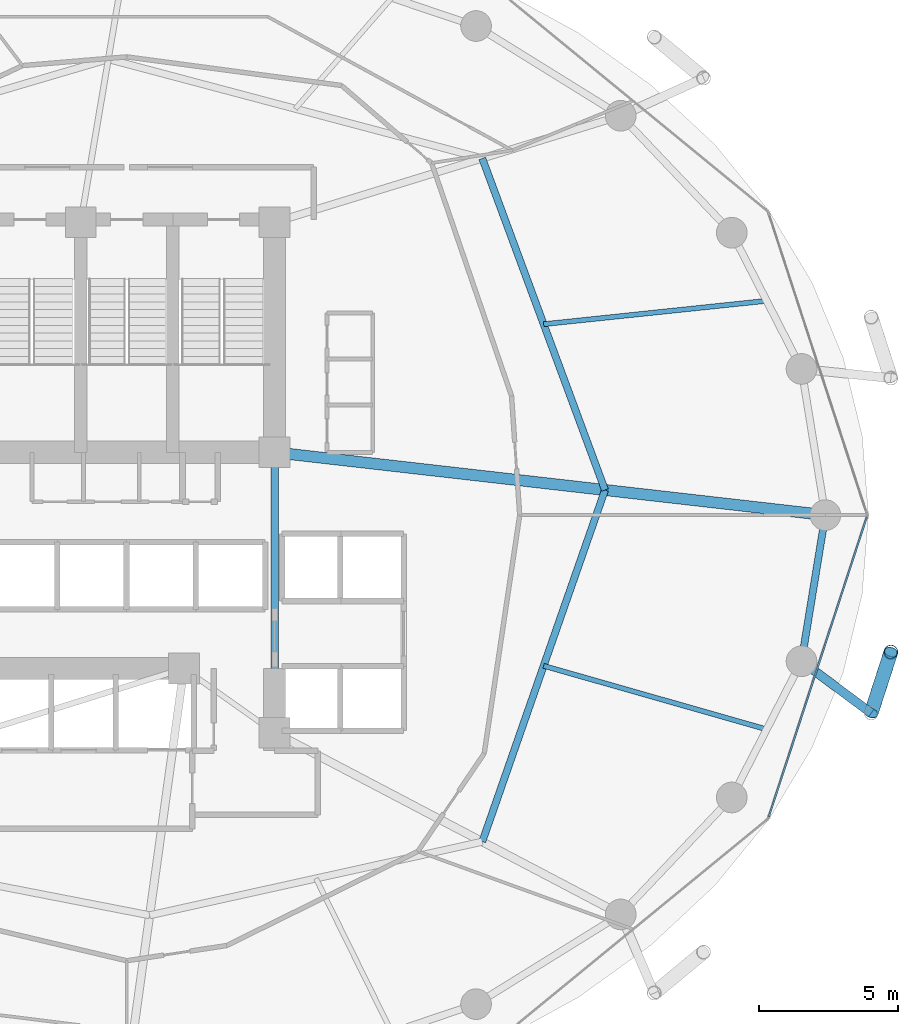
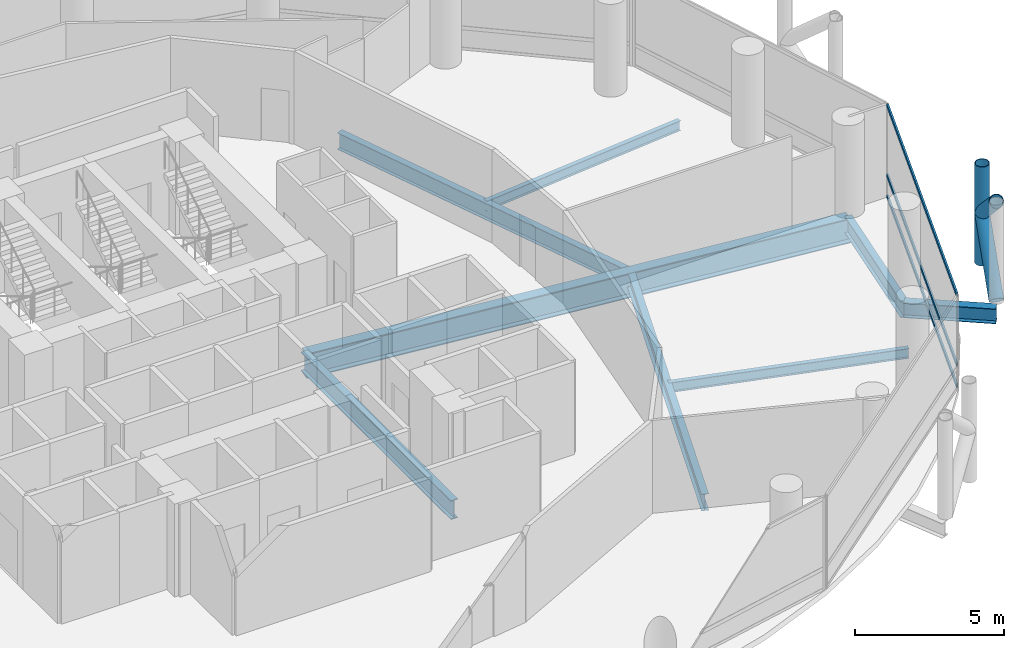
# One storey, part 11 of 25: 8 beams, 6 members, 1 element without a shape of its own.
"""IFC4 building model written with IfcOpenShell, lengths in metres."""

from ifc_helpers import new_model, si_unit, direction, frame, origin, origin_2d, place, context, subcontext, project, spatial, hollow_rectangle, hollow_circle, i_section, extrude, material, layer, layer_set, material_profile, profile_set, type_object, element, aggregate, save


model = new_model("IFC4")

# Units and contexts
model_context = context("Model", 3, precision=1e-05, world=origin(), true_north=direction((0.0, 1.0)))
body_context = subcontext(model_context, "Body", "Model", "MODEL_VIEW")
ifc_project = project(units=[si_unit("LENGTHUNIT", "METRE"), si_unit("AREAUNIT", "SQUARE_METRE"), si_unit("VOLUMEUNIT", "CUBIC_METRE"), si_unit("PLANEANGLEUNIT", "RADIAN"), si_unit("MASSUNIT", "GRAM", prefix="KILO")], contexts=[model_context])

# Site, building, storey
site_placement = place(None, origin())
site = spatial("IfcSite", under=ifc_project, at=site_placement, CompositionType="ELEMENT")
building_placement = place(site_placement, origin())
building = spatial("IfcBuilding", under=site, at=building_placement, Name="Nuhasar Tower", CompositionType="ELEMENT")
storey_placement = place(building_placement, frame((0.0, 0.0, 57.449951171875)))
storey = spatial("IfcBuildingStorey", under=building, at=storey_placement, Name="L13", CompositionType="ELEMENT", Elevation=57.449951171875)

# Beams
ifc_material_1 = material(Name="Steel S355", Category="steel")
ifc_material_profile_1 = material_profile(ifc_material_1, i_section(OverallWidth=0.25390625, OverallDepth=0.68408203125, WebThickness=0.012451171875, FlangeThickness=0.018798828125, at=origin_2d()), Name="W27X94")
ifc_profile_set_1 = profile_set([ifc_material_profile_1], Name="Steel S355")
beam_type_1 = type_object("IfcBeamType", Name="BM-INRING-W27X94", PredefinedType="BEAM", material=ifc_profile_set_1)
beam_1_placement = place(storey_placement, frame((51.748046875, 15.089111328125, -0.592041015625), z_axis=(0.329554049858, 0.944136710558, 0.0), x_axis=(-0.944136710558, 0.329554049858, 0.0)))
element("IfcBeam", 1, at=beam_1_placement, inside=storey, type_object=beam_type_1, Name="L13 Inner Header Beam 03", PredefinedType="BEAM", context=body_context, shape_type="SweptSolid", body=[
    extrude(i_section(OverallWidth=0.25390625, OverallDepth=0.68408203125, WebThickness=0.012451171875, FlangeThickness=0.018798828125, at=origin_2d()), origin(), (0.0, 0.0, 1.0), 13.35693359375),
])
beam_2_placement = place(storey_placement, frame((56.14990234375, 27.699951171875, -0.592041015625), z_axis=(-0.34715757476, 0.937806812881, 0.0), x_axis=(-0.937806812881, -0.34715757476, 0.0)))
element("IfcBeam", 2, at=beam_2_placement, inside=storey, type_object=beam_type_1, Name="L13 Inner Header Beam 04", PredefinedType="BEAM", context=body_context, shape_type="SweptSolid", body=[
    extrude(i_section(OverallWidth=0.25390625, OverallDepth=0.68408203125, WebThickness=0.012451171875, FlangeThickness=0.018798828125, at=origin_2d()), origin(), (0.0, 0.0, 1.0), 12.6796875),
])
ifc_material_profile_2 = material_profile(ifc_material_1, i_section(OverallWidth=0.177978515625, OverallDepth=0.406005859375, WebThickness=0.0078125, FlangeThickness=0.0126953125, at=origin_2d()), Name="W16X40")
ifc_profile_set_2 = profile_set([ifc_material_profile_2], Name="Steel S355")
beam_type_2 = type_object("IfcBeamType", Name="BM-JST-W16X40", PredefinedType="JOIST", material=ifc_profile_set_2)
beam_3_placement = place(storey_placement, frame((53.948974609375, 21.39501953125, -0.452880859375), z_axis=(0.961730884496, -0.273995813484, 0.0), x_axis=(0.273995813484, 0.961730884496, 0.0)))
element("IfcBeam", 3, at=beam_3_placement, inside=storey, type_object=beam_type_2, Name="L13 Secondary Floor Joist 03", PredefinedType="JOIST", context=body_context, shape_type="SweptSolid", body=[
    extrude(i_section(OverallWidth=0.177978515625, OverallDepth=0.406005859375, WebThickness=0.0078125, FlangeThickness=0.0126953125, at=origin_2d()), origin(), (0.0, 0.0, 1.0), 8.314208984375),
])
beam_4_placement = place(storey_placement, frame((53.948974609375, 33.64501953125, -0.452880859375), z_axis=(0.994554594377, 0.104216883485, 0.0), x_axis=(-0.104216883485, 0.994554594377, 0.0)))
element("IfcBeam", 4, at=beam_4_placement, inside=storey, type_object=beam_type_2, Name="L13 Secondary Floor Joist 04", PredefinedType="JOIST", context=body_context, shape_type="SweptSolid", body=[
    extrude(i_section(OverallWidth=0.177978515625, OverallDepth=0.406005859375, WebThickness=0.0078125, FlangeThickness=0.0126953125, at=origin_2d()), origin(), (0.0, 0.0, 1.0), 8.039794921875),
])
ifc_material_profile_3 = material_profile(ifc_material_1, i_section(OverallWidth=0.26611328125, OverallDepth=0.779052734375, WebThickness=0.0166015625, FlangeThickness=0.030029296875, at=origin_2d()), Name="W30X148")
ifc_profile_set_3 = profile_set([ifc_material_profile_3], Name="Steel S355")
beam_type_3 = type_object("IfcBeamType", Name="BM-RAD-W30X148", PredefinedType="BEAM", material=ifc_profile_set_3)
beam_5_placement = place(storey_placement, frame((44.300048828125, 19.0, -0.638916015625), z_axis=(0.0, 1.0, 0.0), x_axis=(-1.0, 0.0, 0.0)))
element("IfcBeam", 5, at=beam_5_placement, inside=storey, type_object=beam_type_3, Name="L13 Core Ring Girder 3", PredefinedType="BEAM", context=body_context, shape_type="SweptSolid", body=[
    extrude(i_section(OverallWidth=0.26611328125, OverallDepth=0.779052734375, WebThickness=0.0166015625, FlangeThickness=0.030029296875, at=origin_2d()), origin(), (0.0, 0.0, 1.0), 10.050048828125),
])
ifc_material_profile_4 = material_profile(ifc_material_1, i_section(OverallWidth=0.256103515625, OverallDepth=0.693115234375, WebThickness=0.014404296875, FlangeThickness=0.023681640625, at=origin_2d()), Name="W27X114")
ifc_profile_set_4 = profile_set([ifc_material_profile_4], Name="Steel S355")
beam_type_4 = type_object("IfcBeamType", Name="BM-RING-W27X114", PredefinedType="SPANDREL", material=ifc_profile_set_4)
beam_6_placement = place(storey_placement, frame((63.196044921875, 21.55908203125, -0.595947265625), z_axis=(0.160826635486, 0.986982671235, 0.0), x_axis=(-0.986982671235, 0.160826635486, 0.0)))
element("IfcBeam", 6, at=beam_6_placement, inside=storey, type_object=beam_type_4, Name="L13 Perimeter Ring Spandrel 24", PredefinedType="SPANDREL", context=body_context, shape_type="SweptSolid", body=[
    extrude(i_section(OverallWidth=0.256103515625, OverallDepth=0.693115234375, WebThickness=0.014404296875, FlangeThickness=0.023681640625, at=origin_2d()), origin(), (0.0, 0.0, 1.0), 5.31005859375),
])
ifc_material_profile_5 = material_profile(ifc_material_1, i_section(OverallWidth=0.323974609375, OverallDepth=0.611083984375, WebThickness=0.0126953125, FlangeThickness=0.01904296875, at=origin_2d()), Name="W24X104")
ifc_profile_set_5 = profile_set([ifc_material_profile_5], Name="Steel S355")
beam_type_5 = type_object("IfcBeamType", Name="BM-TIE-W24X104", PredefinedType="BEAM", material=ifc_profile_set_5)
beam_7_placement = place(storey_placement, frame((63.196044921875, 21.55908203125, -0.554931640625), z_axis=(0.802113478067, -0.597171640572, 0.0), x_axis=(0.597171640572, 0.802113478067, 0.0)))
element("IfcBeam", 7, at=beam_7_placement, inside=storey, type_object=beam_type_5, Name="L13 Exoskeleton Node Tie Beam 12", PredefinedType="BEAM", context=body_context, shape_type="SweptSolid", body=[
    extrude(i_section(OverallWidth=0.323974609375, OverallDepth=0.611083984375, WebThickness=0.0126953125, FlangeThickness=0.01904296875, at=origin_2d()), origin(), (0.0, 0.0, 1.0), 3.111572265625),
])
ifc_material_2 = material(Name="Steel S460", Category="steel")
ifc_material_profile_6 = material_profile(ifc_material_2, i_section(OverallWidth=0.40087890625, OverallDepth=1.010009765625, WebThickness=0.023681640625, FlangeThickness=0.0419921875, at=origin_2d()), Name="W40X297")
ifc_profile_set_6 = profile_set([ifc_material_profile_6], Name="Steel S460")
beam_type_6 = type_object("IfcBeamType", Name="BM-XFER-W40X297", PredefinedType="USERDEFINED", material=ifc_profile_set_6)
beam_8_placement = place(storey_placement, frame((44.300048828125, 29.050048828125, -0.7548828125), z_axis=(0.993573147212, -0.113191877531, 0.0), x_axis=(0.113191877531, 0.993573147212, 0.0)))
element("IfcBeam", 8, at=beam_8_placement, inside=storey, type_object=beam_type_6, Name="L13 Radial Floor Girder 04", ObjectType="GIRDER", PredefinedType="USERDEFINED", context=body_context, shape_type="SweptSolid", body=[
    extrude(i_section(OverallWidth=0.40087890625, OverallDepth=1.010009765625, WebThickness=0.023681640625, FlangeThickness=0.0419921875, at=origin_2d()), origin(), (0.0, 0.0, 1.0), 19.877685546875),
])

# Curtain wall, members
ifc_material_3 = material(Name="Aluminium 6063-T6", Category="aluminium")
ifc_layer = layer(ifc_material_3, 0.199951171875)
ifc_layer_set = layer_set([ifc_layer], Name="Aluminium 6063-T6")
curtain_wall_type = type_object("IfcCurtainWallType", Name="CW-Z1-OFF", PredefinedType="NOTDEFINED", material=ifc_layer_set)
curtain_wall_placement = place(storey_placement, origin())
curtain_wall = element("IfcCurtainWall", 9, at=curtain_wall_placement, inside=storey, type_object=curtain_wall_type, Name="L13 Unitised Curtain Wall 12", PredefinedType="NOTDEFINED")
ifc_material_profile_7 = material_profile(ifc_material_3, hollow_rectangle(XDim=0.06494140625, YDim=0.14990234375, WallThickness=0.00439453125, at=origin_2d()), Name="CWT-2")
ifc_profile_set_7 = profile_set([ifc_material_profile_7], Name="Aluminium 6063-T6")
member_type_1 = type_object("IfcMemberType", Name="CW-TRN-S2", PredefinedType="USERDEFINED", material=ifc_profile_set_7)
member_1_placement = place(storey_placement, frame((62.022216796875, 15.981689453125, 0.032470703125), z_axis=(0.310818687697, 0.950469222741, 0.0), x_axis=(-0.950469222741, 0.310818687697, 0.0)))
member_1 = element("IfcMember", 10, at=member_1_placement, type_object=member_type_1, Name="CW-Z1 transom 1.1", ObjectType="TRANSOM", PredefinedType="USERDEFINED", context=body_context, shape_type="SweptSolid", body=[
    extrude(hollow_rectangle(XDim=0.06494140625, YDim=0.14990234375, WallThickness=0.00439453125, at=origin_2d()), origin(), (0.0, 0.0, 1.0), 11.317138671875),
])
member_2_placement = place(storey_placement, frame((62.022216796875, 15.981689453125, 0.900146484375), z_axis=(0.310818687697, 0.950469222741, 0.0), x_axis=(-0.950469222741, 0.310818687697, 0.0)))
member_2 = element("IfcMember", 11, at=member_2_placement, type_object=member_type_1, Name="CW-Z1 transom 1.2", ObjectType="TRANSOM", PredefinedType="USERDEFINED", context=body_context, shape_type="SweptSolid", body=[
    extrude(hollow_rectangle(XDim=0.06494140625, YDim=0.14990234375, WallThickness=0.00439453125, at=origin_2d()), origin(), (0.0, 0.0, 1.0), 11.317138671875),
])
member_3_placement = place(storey_placement, frame((62.022216796875, 15.981689453125, 3.767578125), z_axis=(0.310818687697, 0.950469222741, 0.0), x_axis=(-0.950469222741, 0.310818687697, 0.0)))
member_3 = element("IfcMember", 12, at=member_3_placement, type_object=member_type_1, Name="CW-Z1 transom 1.3", ObjectType="TRANSOM", PredefinedType="USERDEFINED", context=body_context, shape_type="SweptSolid", body=[
    extrude(hollow_rectangle(XDim=0.06494140625, YDim=0.14990234375, WallThickness=0.00439453125, at=origin_2d()), origin(), (0.0, 0.0, 1.0), 11.317138671875),
])
aggregate(curtain_wall, [member_1, member_2, member_3])

# Members
ifc_material_profile_8 = material_profile(ifc_material_2, hollow_circle(Radius=0.25390625, WallThickness=0.025390625, at=origin_2d()), Name="HSS508X25.4")
ifc_profile_set_8 = profile_set([ifc_material_profile_8], Name="Steel S460")
member_type_2 = type_object("IfcMemberType", Name="EXO-BRONZE-508", PredefinedType="BRACE", material=ifc_profile_set_8)
member_4_placement = place(storey_placement, frame((66.39990234375, 21.889892578125, 0.0), z_axis=(0.0, 0.0, 1.0), x_axis=(1.0, 0.0, 0.0)))
element("IfcMember", 13, at=member_4_placement, inside=storey, type_object=member_type_2, Name="L13 Exoskeleton Chord Column EC-12B", PredefinedType="BRACE", context=body_context, shape_type="SweptSolid", body=[
    extrude(hollow_circle(Radius=0.25390625, WallThickness=0.025390625, at=origin_2d()), origin(), (0.0, 0.0, 1.0), 4.050048828125),
])
member_5_placement = place(storey_placement, frame((65.69189453125, 19.700927734375, 0.0), z_axis=(0.230999678299, 0.714187281251, 0.660738734997), x_axis=(-0.951468282519, 0.307746823478, 0.0)))
element("IfcMember", 14, at=member_5_placement, inside=storey, type_object=member_type_2, Name="L13 Bronze Diagrid Brace W1-12", PredefinedType="BRACE", context=body_context, shape_type="SweptSolid", body=[
    extrude(hollow_circle(Radius=0.25390625, WallThickness=0.025390625, at=origin_2d()), origin(), (0.0, 0.0, 1.0), 3.06494140625),
])
member_6_placement = place(storey_placement, frame((66.39990234375, 21.889892578125, 2.025146484375), z_axis=(-0.231011836313, -0.714224870475, 0.660693851854), x_axis=(0.951468282519, -0.307746823478, 0.0)))
element("IfcMember", 15, at=member_6_placement, inside=storey, type_object=member_type_2, Name="L13 Bronze Diagrid Brace W2-12", PredefinedType="BRACE", context=body_context, shape_type="SweptSolid", body=[
    extrude(hollow_circle(Radius=0.25390625, WallThickness=0.025390625, at=origin_2d()), origin(), (0.0, 0.0, 1.0), 3.064697265625),
])

save(model, "model.ifc")
